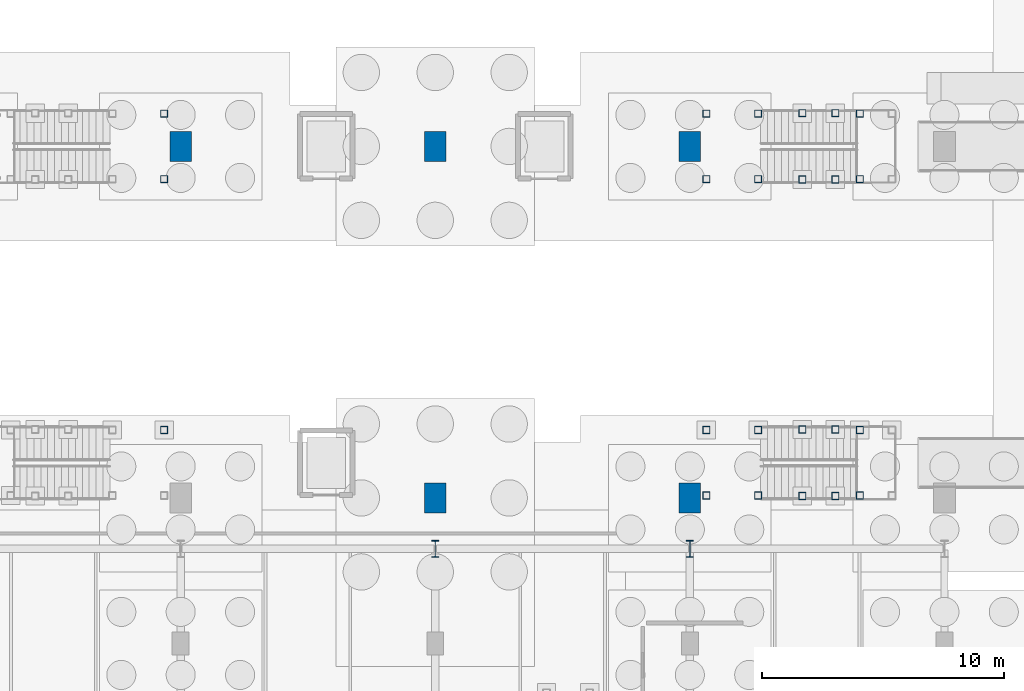
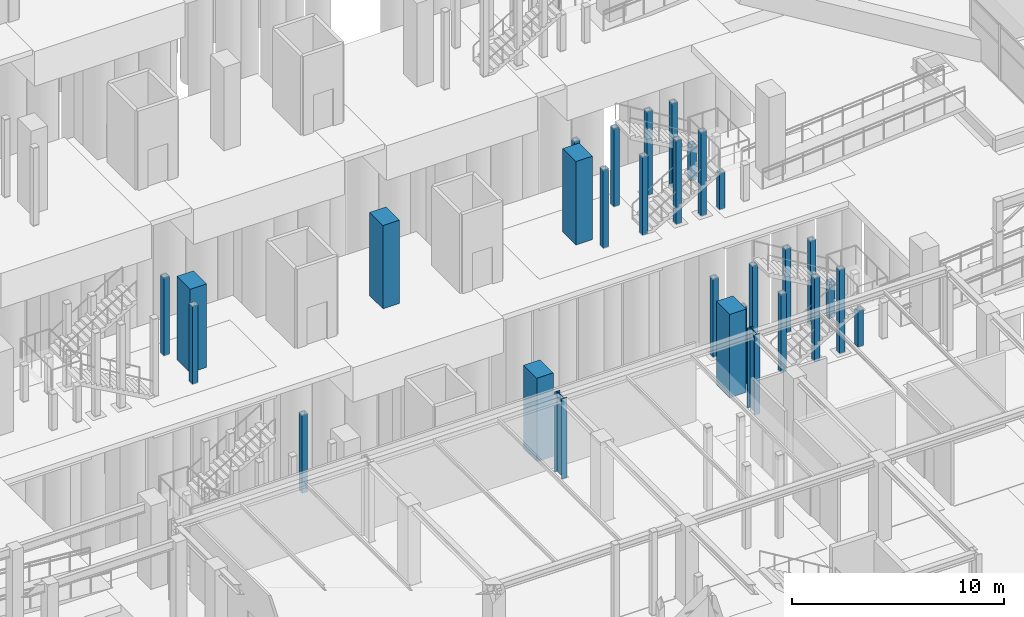
# One storey, part 17 of 160: 30 columns.
"""IFC4 building model written with IfcOpenShell, lengths in metres."""

from ifc_helpers import new_model, si_unit, direction, frame, origin, origin_2d, place, context, subcontext, project, spatial, rectangle, hollow_rectangle, i_section, extrude, material, material_profile, profile_set, type_object, element, save


model = new_model("IFC4")

# Units and contexts
model_context = context("Model", 3, precision=1e-05, world=origin(), true_north=direction((0.0, 1.0)))
body_context = subcontext(model_context, "Body", "Model", "MODEL_VIEW")
ifc_project = project(units=[si_unit("LENGTHUNIT", "METRE"), si_unit("AREAUNIT", "SQUARE_METRE"), si_unit("VOLUMEUNIT", "CUBIC_METRE"), si_unit("PLANEANGLEUNIT", "RADIAN"), si_unit("MASSUNIT", "GRAM", prefix="KILO")], contexts=[model_context])

# Site, building, storey
site_placement = place(None, origin())
site = spatial("IfcSite", under=ifc_project, at=site_placement, CompositionType="ELEMENT")
building_placement = place(site_placement, origin())
building = spatial("IfcBuilding", under=site, at=building_placement, Name="Marlcrest Central Station", CompositionType="ELEMENT")
storey_placement = place(building_placement, origin())
storey = spatial("IfcBuildingStorey", under=building, at=storey_placement, Name="L00", CompositionType="ELEMENT", Elevation=0.0)

# Columns
ifc_material_1 = material(Name="Concrete C50/60", Category="concrete")
ifc_material_profile_1 = material_profile(ifc_material_1, rectangle(XDim=0.89990234375, YDim=1.25, at=origin_2d()), Name="RC 900x1250")
ifc_profile_set_1 = profile_set([ifc_material_profile_1], Name="Concrete C50/60")
column_type_1 = type_object("IfcColumnType", Name="RC-12", PredefinedType="COLUMN", material=ifc_profile_set_1)
for number, where, z_axis, x_axis, name in (
    (1, (97.5, 51.0, 0.0), (0.0, 0.0, 1.0), (1.0, 0.0, 0.0), "col-RC-12-L00-0629"),
    (2, (108.0, 36.5, 0.0), (0.0, 0.0, 1.0), (1.0, 0.0, 0.0), "col-RC-12-L00-0637"),
    (3, (108.0, 51.0, 0.0), (0.0, 0.0, 1.0), (1.0, 0.0, 0.0), "col-RC-12-L00-0639"),
    (4, (118.5, 36.5, 0.0), (0.0, 0.0, 1.0), (1.0, 0.0, 0.0), "col-RC-12-L00-0647"),
    (5, (118.5, 51.0, 0.0), (0.0, 0.0, 1.0), (1.0, 0.0, 0.0), "col-RC-12-L00-0649"),
):
    element("IfcColumn", number, at=place(storey_placement, frame(where, z_axis=z_axis, x_axis=x_axis)), inside=storey, type_object=column_type_1, Name=name, PredefinedType="COLUMN", context=body_context, shape_type="SweptSolid", body=[
        extrude(rectangle(XDim=0.89990234375, YDim=1.25, at=origin_2d()), origin(), (0.0, 0.0, 1.0), 4.800048828125),
    ])
ifc_material_2 = material(Name="Steel S355", Category="steel")
ifc_material_profile_2 = material_profile(ifc_material_2, i_section(OverallWidth=0.300048828125, OverallDepth=0.699951171875, WebThickness=0.01708984375, FlangeThickness=0.031982421875, FilletRadius=0.027099609375, at=origin_2d()), Name="HEB 700")
ifc_profile_set_2 = profile_set([ifc_material_profile_2], Name="Steel S355")
column_type_2 = type_object("IfcColumnType", Name="SC-07", PredefinedType="COLUMN", material=ifc_profile_set_2)
for number, where, z_axis, x_axis, name in (
    (6, (108.0, 34.39990234375, 0.0), (0.0, 0.0, 1.0), (1.0, 0.0, 0.0), "col-SC-07-L00-0834"),
    (7, (118.5, 34.39990234375, 0.0), (0.0, 0.0, 1.0), (1.0, 0.0, 0.0), "col-SC-07-L00-0837"),
):
    element("IfcColumn", number, at=place(storey_placement, frame(where, z_axis=z_axis, x_axis=x_axis)), inside=storey, type_object=column_type_2, Name=name, PredefinedType="COLUMN", context=body_context, shape_type="SweptSolid", body=[
        extrude(i_section(OverallWidth=0.300048828125, OverallDepth=0.699951171875, WebThickness=0.01708984375, FlangeThickness=0.031982421875, FilletRadius=0.027099609375, at=origin_2d()), origin(), (0.0, 0.0, 1.0), 4.60498046875),
    ])
ifc_material_profile_3 = material_profile(ifc_material_2, hollow_rectangle(XDim=0.300048828125, YDim=0.300048828125, WallThickness=0.01611328125, at=origin_2d()), Name="SHS 300x300x16")
ifc_profile_set_3 = profile_set([ifc_material_profile_3], Name="Steel S355")
column_type_3 = type_object("IfcColumnType", Name="SC-19", PredefinedType="COLUMN", material=ifc_profile_set_3)
for number, where, z_axis, x_axis, name in (
    (8, (96.820068359375, 39.300048828125, 0.0), (0.0, 0.0, 1.0), (1.0, 0.0, 0.0), "stcol-tr-0001-968-393"),
    (9, (119.179931640625, 36.60009765625, 0.0), (0.0, 0.0, 1.0), (1.0, 0.0, 0.0), "stcol-tr-0004-1191-366"),
    (10, (119.179931640625, 39.300048828125, 0.0), (0.0, 0.0, 1.0), (1.0, 0.0, 0.0), "stcol-tr-0004-1191-393"),
    (11, (121.320068359375, 36.60009765625, 0.0), (0.0, 0.0, 1.0), (1.0, 0.0, 0.0), "stcol-tr-0004-1213-366"),
    (12, (121.320068359375, 39.300048828125, 0.0), (0.0, 0.0, 1.0), (1.0, 0.0, 0.0), "stcol-tr-0004-1213-393"),
):
    element("IfcColumn", number, at=place(storey_placement, frame(where, z_axis=z_axis, x_axis=x_axis)), inside=storey, type_object=column_type_3, Name=name, PredefinedType="COLUMN", context=body_context, shape_type="SweptSolid", body=[
        extrude(hollow_rectangle(XDim=0.300048828125, YDim=0.300048828125, WallThickness=0.01611328125, at=origin_2d()), origin(), (0.0, 0.0, 1.0), 4.47998046875),
    ])
for number, where, z_axis, x_axis, name in (
    (13, (125.510009765625, 36.60009765625, 0.0), (0.0, 0.0, 1.0), (1.0, 0.0, 0.0), "stcol-0005-1255-366"),
    (14, (125.510009765625, 39.300048828125, 0.0), (0.0, 0.0, 1.0), (1.0, 0.0, 0.0), "stcol-0005-1255-393"),
):
    element("IfcColumn", number, at=place(storey_placement, frame(where, z_axis=z_axis, x_axis=x_axis)), inside=storey, type_object=column_type_3, Name=name, PredefinedType="COLUMN", context=body_context, shape_type="SweptSolid", body=[
        extrude(hollow_rectangle(XDim=0.300048828125, YDim=0.300048828125, WallThickness=0.01611328125, at=origin_2d()), origin(), (0.0, 0.0, 1.0), 2.080078125),
    ])
for number, where, z_axis, x_axis, name in (
    (15, (123.139892578125, 36.580078125, 0.0), (0.0, 0.0, 1.0), (1.0, 0.0, 0.0), "stcol-hi0-0006-1231-365"),
    (16, (123.139892578125, 39.320068359375, 0.0), (0.0, 0.0, 1.0), (1.0, 0.0, 0.0), "stcol-hi0-0006-1231-393"),
    (17, (124.5, 36.580078125, 0.0), (0.0, 0.0, 1.0), (1.0, 0.0, 0.0), "stcol-hi0-0006-1245-365"),
    (18, (124.5, 39.320068359375, 0.0), (0.0, 0.0, 1.0), (1.0, 0.0, 0.0), "stcol-hi0-0006-1245-393"),
):
    element("IfcColumn", number, at=place(storey_placement, frame(where, z_axis=z_axis, x_axis=x_axis)), inside=storey, type_object=column_type_3, Name=name, PredefinedType="COLUMN", context=body_context, shape_type="SweptSolid", body=[
        extrude(hollow_rectangle(XDim=0.300048828125, YDim=0.300048828125, WallThickness=0.01611328125, at=origin_2d()), origin(), (0.0, 0.0, 1.0), 4.800048828125),
    ])
for number, where, z_axis, x_axis, name in (
    (19, (96.820068359375, 49.64990234375, 0.0), (0.0, 0.0, 1.0), (1.0, 0.0, 0.0), "stcol-tr-0007-968-496"),
    (20, (96.820068359375, 52.35009765625, 0.0), (0.0, 0.0, 1.0), (1.0, 0.0, 0.0), "stcol-tr-0007-968-523"),
    (21, (119.179931640625, 49.64990234375, 0.0), (0.0, 0.0, 1.0), (1.0, 0.0, 0.0), "stcol-tr-0010-1191-496"),
    (22, (119.179931640625, 52.35009765625, 0.0), (0.0, 0.0, 1.0), (1.0, 0.0, 0.0), "stcol-tr-0010-1191-523"),
    (23, (121.320068359375, 49.64990234375, 0.0), (0.0, 0.0, 1.0), (1.0, 0.0, 0.0), "stcol-tr-0010-1213-496"),
    (24, (121.320068359375, 52.35009765625, 0.0), (0.0, 0.0, 1.0), (1.0, 0.0, 0.0), "stcol-tr-0010-1213-523"),
):
    element("IfcColumn", number, at=place(storey_placement, frame(where, z_axis=z_axis, x_axis=x_axis)), inside=storey, type_object=column_type_3, Name=name, PredefinedType="COLUMN", context=body_context, shape_type="SweptSolid", body=[
        extrude(hollow_rectangle(XDim=0.300048828125, YDim=0.300048828125, WallThickness=0.01611328125, at=origin_2d()), origin(), (0.0, 0.0, 1.0), 4.47998046875),
    ])
for number, where, z_axis, x_axis, name in (
    (25, (125.510009765625, 49.64990234375, 0.0), (0.0, 0.0, 1.0), (1.0, 0.0, 0.0), "stcol-0011-1255-496"),
    (26, (125.510009765625, 52.35009765625, 0.0), (0.0, 0.0, 1.0), (1.0, 0.0, 0.0), "stcol-0011-1255-523"),
):
    element("IfcColumn", number, at=place(storey_placement, frame(where, z_axis=z_axis, x_axis=x_axis)), inside=storey, type_object=column_type_3, Name=name, PredefinedType="COLUMN", context=body_context, shape_type="SweptSolid", body=[
        extrude(hollow_rectangle(XDim=0.300048828125, YDim=0.300048828125, WallThickness=0.01611328125, at=origin_2d()), origin(), (0.0, 0.0, 1.0), 2.080078125),
    ])
for number, where, z_axis, x_axis, name in (
    (27, (123.139892578125, 49.6298828125, 0.0), (0.0, 0.0, 1.0), (1.0, 0.0, 0.0), "stcol-hi0-0012-1231-496"),
    (28, (123.139892578125, 52.3701171875, 0.0), (0.0, 0.0, 1.0), (1.0, 0.0, 0.0), "stcol-hi0-0012-1231-523"),
    (29, (124.5, 49.6298828125, 0.0), (0.0, 0.0, 1.0), (1.0, 0.0, 0.0), "stcol-hi0-0012-1245-496"),
    (30, (124.5, 52.3701171875, 0.0), (0.0, 0.0, 1.0), (1.0, 0.0, 0.0), "stcol-hi0-0012-1245-523"),
):
    element("IfcColumn", number, at=place(storey_placement, frame(where, z_axis=z_axis, x_axis=x_axis)), inside=storey, type_object=column_type_3, Name=name, PredefinedType="COLUMN", context=body_context, shape_type="SweptSolid", body=[
        extrude(hollow_rectangle(XDim=0.300048828125, YDim=0.300048828125, WallThickness=0.01611328125, at=origin_2d()), origin(), (0.0, 0.0, 1.0), 4.800048828125),
    ])

save(model, "model.ifc")
